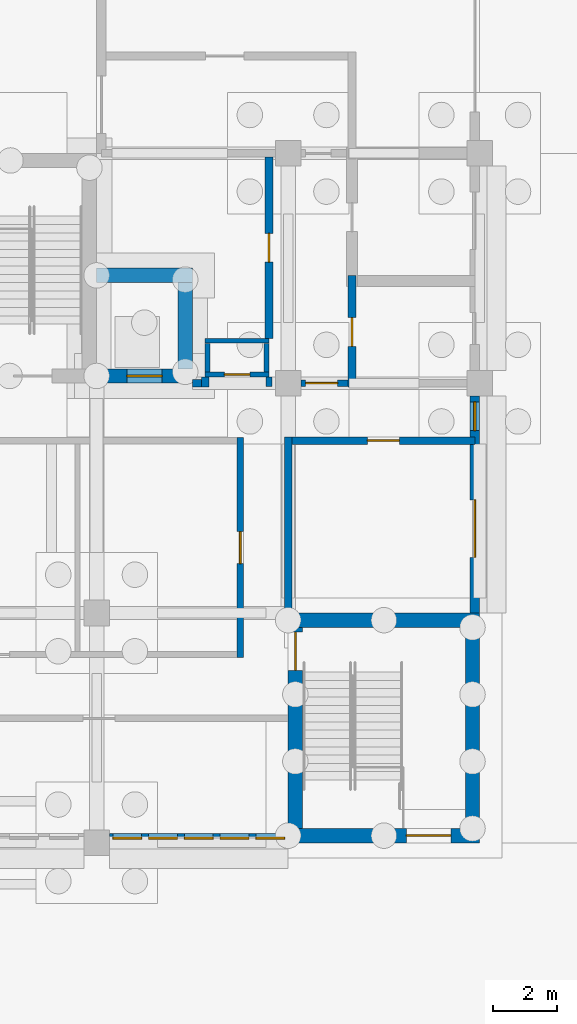
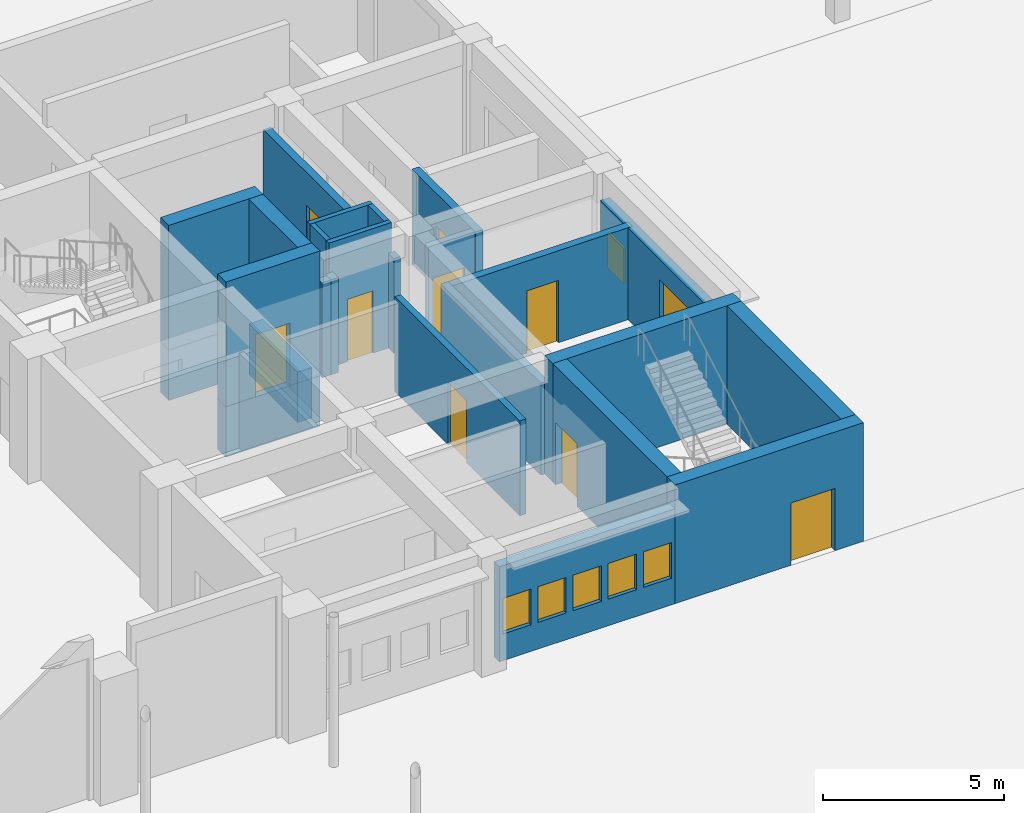
# One storey, part 24 of 37: 25 walls, 10 doors, 6 windows, 16 openings.
"""IFC4 building model written with IfcOpenShell, lengths in metres."""

from ifc_helpers import new_model, si_unit, direction, frame, frame_2d, origin, place, context, subcontext, project, spatial, rectangle, extrude, material, layer, layer_set, type_object, element, fill, save


model = new_model("IFC4")

# Units and contexts
model_context = context("Model", 3, precision=1e-05, world=origin(), true_north=direction((0.0, 1.0)))
body_context = subcontext(model_context, "Body", "Model", "MODEL_VIEW")
ifc_project = project(units=[si_unit("LENGTHUNIT", "METRE"), si_unit("AREAUNIT", "SQUARE_METRE"), si_unit("VOLUMEUNIT", "CUBIC_METRE"), si_unit("PLANEANGLEUNIT", "RADIAN"), si_unit("MASSUNIT", "GRAM", prefix="KILO")], contexts=[model_context])

# Site, building, storey
site_placement = place(None, origin())
site = spatial("IfcSite", under=ifc_project, at=site_placement, CompositionType="ELEMENT")
building_placement = place(site_placement, origin())
building = spatial("IfcBuilding", under=site, at=building_placement, Name="Laocheng Heights Fire and Rescue Headquarters", CompositionType="ELEMENT")
storey_placement = place(building_placement, origin())
storey = spatial("IfcBuildingStorey", under=building, at=storey_placement, Name="L00", CompositionType="ELEMENT", Elevation=0.0)

# Wall, opening, door
ifc_material_1 = material(Name="Gypsum plaster")
ifc_layer_1 = layer(ifc_material_1, 0.010009765625, Name="PLASTER", Category="plaster")
ifc_material_2 = material(Name="Concrete blockwork MU10", Category="masonry")
ifc_layer_2 = layer(ifc_material_2, 0.179931640625, Name="BLOCKWORK", Category="masonry")
ifc_layer_3 = layer(ifc_material_1, 0.010009765625, Name="PLASTER", Category="plaster")
ifc_layer_set_1 = layer_set([ifc_layer_1, ifc_layer_2, ifc_layer_3], Name="Concrete blockwork MU10")
wall_type_1 = type_object("IfcWallType", Name="BLOCKWORK FIRE PARTITION 200 EI 60 BAY", PredefinedType="PARTITIONING", material=ifc_layer_set_1)
wall_1_placement = place(storey_placement, frame((64.5, 5.800048828125, 0.0), z_axis=(0.0, 0.0, 1.0), x_axis=(0.0, 1.0, 0.0)))
wall_1 = element("IfcWall", 1, at=wall_1_placement, inside=storey, type_object=wall_type_1, Name="Partition L00-010", PredefinedType="PARTITIONING", context=body_context, shape_type="SweptSolid", body=[
    extrude(rectangle(XDim=6.89990234375, YDim=0.199951171875, at=frame_2d((3.449951171875, 0.0))), origin(), (0.0, 0.0, 1.0), 3.199951171875),
])
opening_1_placement = place(wall_1_placement, frame((2.949951171875, 0.0, 0.0)))
opening_1 = element("IfcOpeningElement", 2, at=opening_1_placement, cuts=wall_1, Name="Opening L00-I10", PredefinedType="OPENING", context=body_context, shape_type="SweptSolid", body=[
    extrude(rectangle(XDim=1.0, YDim=2.10009765625, at=frame_2d((0.5, 1.050048828125))), frame((0.0, 0.10986328125, 0.0), z_axis=(0.0, -1.0, 0.0), x_axis=(1.0, 0.0, 0.0)), (0.0, 0.0, 1.0), 0.219970703125),
])
ifc_material_3 = material(Name="Steel door leaf, painted", Category="steel")
door_type_1 = type_object("IfcDoorType", Name="STEEL FIRE DOOR 1000x2100 EI 60 BAY", OperationType="SINGLE_SWING_LEFT", PredefinedType="DOOR", material=ifc_material_3)
door_1_placement = place(opening_1_placement, origin())
door_1 = element("IfcDoor", 3, at=door_1_placement, inside=storey, type_object=door_type_1, Name="Door L00-I10", OperationType="SINGLE_SWING_LEFT", OverallHeight=2.10009765625, OverallWidth=1.0, PredefinedType="DOOR", context=body_context, shape_type="SweptSolid", body=[
    extrude(rectangle(XDim=1.0, YDim=2.10009765625, at=frame_2d((0.5, 1.050048828125))), frame((0.0, 0.02490234375, 0.0), z_axis=(0.0, -1.0, 0.0), x_axis=(1.0, 0.0, 0.0)), (0.0, 0.0, 1.0), 0.050048828125),
])
fill(opening_1, door_1)

# Wall
wall_2_placement = place(storey_placement, frame((65.39990234375, 14.300048828125, 0.0), z_axis=(0.0, 0.0, 1.0), x_axis=(0.0, 1.0, 0.0)))
element("IfcWall", 4, at=wall_2_placement, inside=storey, type_object=wall_type_1, Name="Partition L00-011", PredefinedType="PARTITIONING", context=body_context, shape_type="SweptSolid", body=[
    extrude(rectangle(XDim=0.300048828125, YDim=0.199951171875, at=frame_2d((0.14990234375, 0.0))), origin(), (0.0, 0.0, 1.0), 3.199951171875),
])

# Wall, opening, door
wall_3_placement = place(storey_placement, frame((66.39990234375, 14.39990234375, 0.0), z_axis=(0.0, 0.0, 1.0), x_axis=(1.0, 0.0, 0.0)))
wall_3 = element("IfcWall", 5, at=wall_3_placement, inside=storey, type_object=wall_type_1, Name="Partition L00-027", PredefinedType="PARTITIONING", context=body_context, shape_type="SweptSolid", body=[
    extrude(rectangle(XDim=1.47998046875, YDim=0.199951171875, at=frame_2d((0.739990234375, 0.0))), origin(), (0.0, 0.0, 1.0), 3.199951171875),
])
opening_2_placement = place(wall_3_placement, frame((0.14990234375, 0.0, 0.0)))
opening_2 = element("IfcOpeningElement", 6, at=opening_2_placement, cuts=wall_3, Name="Opening L00-I17", PredefinedType="OPENING", context=body_context, shape_type="SweptSolid", body=[
    extrude(rectangle(XDim=1.0, YDim=2.10009765625, at=frame_2d((0.5, 1.050048828125))), frame((0.0, 0.10986328125, 0.0), z_axis=(0.0, -1.0, 0.0), x_axis=(1.0, 0.0, 0.0)), (0.0, 0.0, 1.0), 0.219970703125),
])
door_2_placement = place(opening_2_placement, origin())
door_2 = element("IfcDoor", 7, at=door_2_placement, inside=storey, type_object=door_type_1, Name="Door L00-I17", OperationType="SINGLE_SWING_LEFT", OverallHeight=2.10009765625, OverallWidth=1.0, PredefinedType="DOOR", context=body_context, shape_type="SweptSolid", body=[
    extrude(rectangle(XDim=1.0, YDim=2.10009765625, at=frame_2d((0.5, 1.050048828125))), frame((0.0, 0.02490234375, 0.0), z_axis=(0.0, -1.0, 0.0), x_axis=(1.0, 0.0, 0.0)), (0.0, 0.0, 1.0), 0.050048828125),
])
fill(opening_2, door_2)

# Wall
ifc_material_4 = material(Name="Gypsum plaster")
ifc_layer_4 = layer(ifc_material_4, 0.010009765625, Name="PLASTER", Category="plaster")
ifc_material_5 = material(Name="Clay brick masonry MU10", Category="masonry")
ifc_layer_5 = layer(ifc_material_5, 0.219970703125, Name="BLOCKWORK", Category="masonry")
ifc_layer_6 = layer(ifc_material_4, 0.010009765625, Name="PLASTER", Category="plaster")
ifc_layer_set_2 = layer_set([ifc_layer_4, ifc_layer_5, ifc_layer_6], Name="Clay brick masonry MU10")
wall_type_2 = type_object("IfcWallType", Name="CLAY BRICK WALL 240 EI 120 BAY", PredefinedType="PARTITIONING", material=ifc_layer_set_2)
wall_4_placement = place(storey_placement, frame((63.39990234375, 14.280029296875, 0.0), z_axis=(0.0, 0.0, 1.0), x_axis=(0.0, 1.0, 0.0)))
element("IfcWall", 8, at=wall_4_placement, inside=storey, type_object=wall_type_2, Name="Partition L00-009", PredefinedType="PARTITIONING", context=body_context, shape_type="SweptSolid", body=[
    extrude(rectangle(XDim=0.320068359375, YDim=0.239990234375, at=frame_2d((0.16015625, 0.0))), origin(), (0.0, 0.0, 1.0), 3.199951171875),
])

# Wall, opening, door
wall_5_placement = place(storey_placement, frame((65.39990234375, 15.800048828125, 0.0), z_axis=(0.0, 0.0, 1.0), x_axis=(0.0, 1.0, 0.0)))
wall_5 = element("IfcWall", 9, at=wall_5_placement, inside=storey, type_object=wall_type_2, Name="Partition L00-012", PredefinedType="PARTITIONING", context=body_context, shape_type="SweptSolid", body=[
    extrude(rectangle(XDim=5.679931640625, YDim=0.239990234375, at=frame_2d((2.83984375, 0.0))), origin(), (0.0, 0.0, 1.0), 3.199951171875),
])
opening_3_placement = place(wall_5_placement, frame((2.389892578125, 0.0, 0.0)))
opening_3 = element("IfcOpeningElement", 10, at=opening_3_placement, cuts=wall_5, Name="Opening L00-I15", PredefinedType="OPENING", context=body_context, shape_type="SweptSolid", body=[
    extrude(rectangle(XDim=0.89990234375, YDim=2.10009765625, at=frame_2d((0.449951171875, 1.050048828125))), frame((0.0, 0.1298828125, 0.0), z_axis=(0.0, -1.0, 0.0), x_axis=(1.0, 0.0, 0.0)), (0.0, 0.0, 1.0), 0.260009765625),
])
ifc_material_6 = material(Name="Steel door leaf, painted", Category="steel")
door_type_2 = type_object("IfcDoorType", Name="STEEL FIRE DOOR 900x2100 EI 120 BAY", OperationType="SINGLE_SWING_LEFT", PredefinedType="DOOR", material=ifc_material_6)
door_3_placement = place(opening_3_placement, origin())
door_3 = element("IfcDoor", 11, at=door_3_placement, inside=storey, type_object=door_type_2, Name="Door L00-I15", OperationType="SINGLE_SWING_RIGHT", OverallHeight=2.10009765625, OverallWidth=0.89990234375, PredefinedType="DOOR", context=body_context, shape_type="SweptSolid", body=[
    extrude(rectangle(XDim=0.89990234375, YDim=2.10009765625, at=frame_2d((0.449951171875, 1.050048828125))), frame((0.0, 0.02490234375, 0.0), z_axis=(0.0, -1.0, 0.0), x_axis=(1.0, 0.0, 0.0)), (0.0, 0.0, 1.0), 0.050048828125),
])
fill(opening_3, door_3)

# Wall
wall_6_placement = place(storey_placement, frame((66.0, 7.199951171875, 0.0), z_axis=(0.0, 0.0, 1.0), x_axis=(0.0, 1.0, 0.0)))
element("IfcWall", 12, at=wall_6_placement, inside=storey, type_object=wall_type_2, Name="Partition L00-013", PredefinedType="PARTITIONING", context=body_context, shape_type="SweptSolid", body=[
    extrude(rectangle(XDim=5.52001953125, YDim=0.239990234375, at=frame_2d((2.760009765625, 0.0))), origin(), (0.0, 0.0, 1.0), 3.10009765625),
])

# Wall, opening, door
wall_7_placement = place(storey_placement, frame((68.0, 14.280029296875, 0.0), z_axis=(0.0, 0.0, 1.0), x_axis=(0.0, 1.0, 0.0)))
wall_7 = element("IfcWall", 13, at=wall_7_placement, inside=storey, type_object=wall_type_2, Name="Partition L00-014", PredefinedType="PARTITIONING", context=body_context, shape_type="SweptSolid", body=[
    extrude(rectangle(XDim=3.494873046875, YDim=0.239990234375, at=frame_2d((1.74755859375, 0.0))), origin(), (0.0, 0.0, 1.0), 3.199951171875),
])
opening_4_placement = place(wall_7_placement, frame((1.27001953125, 0.0, 0.0)))
opening_4 = element("IfcOpeningElement", 14, at=opening_4_placement, cuts=wall_7, Name="Opening L00-I12", PredefinedType="OPENING", context=body_context, shape_type="SweptSolid", body=[
    extrude(rectangle(XDim=0.89990234375, YDim=2.10009765625, at=frame_2d((0.449951171875, 1.050048828125))), frame((0.0, 0.1298828125, 0.0), z_axis=(0.0, -1.0, 0.0), x_axis=(1.0, 0.0, 0.0)), (0.0, 0.0, 1.0), 0.260009765625),
])
door_4_placement = place(opening_4_placement, frame((0.89990234375, 0.0, 0.0), z_axis=(0.0, 0.0, 1.0), x_axis=(-1.0, 0.0, 0.0)))
door_4 = element("IfcDoor", 15, at=door_4_placement, inside=storey, type_object=door_type_2, Name="Door L00-I12", OperationType="SINGLE_SWING_LEFT", OverallHeight=2.10009765625, OverallWidth=0.89990234375, PredefinedType="DOOR", context=body_context, shape_type="SweptSolid", body=[
    extrude(rectangle(XDim=0.89990234375, YDim=2.10009765625, at=frame_2d((0.449951171875, 1.050048828125))), frame((0.0, 0.02490234375, 0.0), z_axis=(0.0, -1.0, 0.0), x_axis=(1.0, 0.0, 0.0)), (0.0, 0.0, 1.0), 0.050048828125),
])
fill(opening_4, door_4)

wall_8_placement = place(storey_placement, frame((66.1201171875, 12.60009765625, 0.0), z_axis=(0.0, 0.0, 1.0), x_axis=(1.0, 0.0, 0.0)))
wall_8 = element("IfcWall", 16, at=wall_8_placement, inside=storey, type_object=wall_type_2, Name="Partition L00-024", PredefinedType="PARTITIONING", context=body_context, shape_type="SweptSolid", body=[
    extrude(rectangle(XDim=5.72998046875, YDim=0.239990234375, at=frame_2d((2.864990234375, 0.0))), origin(), (0.0, 0.0, 1.0), 3.10009765625),
])
opening_5_placement = place(wall_8_placement, frame((2.364990234375, 0.0, 0.0)))
opening_5 = element("IfcOpeningElement", 17, at=opening_5_placement, cuts=wall_8, Name="Opening L00-I11", PredefinedType="OPENING", context=body_context, shape_type="SweptSolid", body=[
    extrude(rectangle(XDim=1.0, YDim=2.10009765625, at=frame_2d((0.5, 1.050048828125))), frame((0.0, 0.1298828125, 0.0), z_axis=(0.0, -1.0, 0.0), x_axis=(1.0, 0.0, 0.0)), (0.0, 0.0, 1.0), 0.260009765625),
])
ifc_material_7 = material(Name="Steel door leaf, painted", Category="steel")
door_type_3 = type_object("IfcDoorType", Name="STEEL FIRE DOOR 1000x2100 EI 120 BAY", OperationType="SINGLE_SWING_LEFT", PredefinedType="DOOR", material=ifc_material_7)
door_5_placement = place(opening_5_placement, frame((1.0, 0.0, 0.0), z_axis=(0.0, 0.0, 1.0), x_axis=(-1.0, 0.0, 0.0)))
door_5 = element("IfcDoor", 18, at=door_5_placement, inside=storey, type_object=door_type_3, Name="Door L00-I11", OperationType="SINGLE_SWING_LEFT", OverallHeight=2.10009765625, OverallWidth=1.0, PredefinedType="DOOR", context=body_context, shape_type="SweptSolid", body=[
    extrude(rectangle(XDim=1.0, YDim=2.10009765625, at=frame_2d((0.5, 1.050048828125))), frame((0.0, 0.02490234375, 0.0), z_axis=(0.0, -1.0, 0.0), x_axis=(1.0, 0.0, 0.0)), (0.0, 0.0, 1.0), 0.050048828125),
])
fill(opening_5, door_5)

# Wall
wall_9_placement = place(storey_placement, frame((63.0, 14.39990234375, 0.0), z_axis=(0.0, 0.0, 1.0), x_axis=(1.0, 0.0, 0.0)))
element("IfcWall", 19, at=wall_9_placement, inside=storey, type_object=wall_type_2, Name="Partition L00-026", PredefinedType="PARTITIONING", context=body_context, shape_type="SweptSolid", body=[
    extrude(rectangle(XDim=0.280029296875, YDim=0.239990234375, at=frame_2d((0.14013671875, 0.0))), origin(), (0.0, 0.0, 1.0), 3.199951171875),
])

# Wall, openings, windows
ifc_material_8 = material(Name="Precast concrete C40/50", Category="concrete")
ifc_layer_7 = layer(ifc_material_8, 0.300048828125)
ifc_layer_set_3 = layer_set([ifc_layer_7], Name="Precast concrete C40/50")
wall_type_3 = type_object("IfcWallType", Name="PRECAST PANEL WALL 300 EAST FLANK", PredefinedType="SOLIDWALL", material=ifc_layer_set_3)
wall_10_placement = place(storey_placement, frame((60.39990234375, 0.14990234375, 0.0), z_axis=(0.0, 0.0, 1.0), x_axis=(1.0, 0.0, 0.0)))
wall_10 = element("IfcWall", 20, at=wall_10_placement, inside=storey, type_object=wall_type_3, Name="Flank E wall L00", PredefinedType="SOLIDWALL", context=body_context, shape_type="SweptSolid", body=[
    extrude(rectangle(XDim=5.60009765625, YDim=0.300048828125, at=frame_2d((2.800048828125, 0.0))), origin(), (0.0, 0.0, 1.0), 3.199951171875),
])
opening_6_placement = place(wall_10_placement, frame((0.110107421875, 0.0, 0.89990234375)))
opening_6 = element("IfcOpeningElement", 21, at=opening_6_placement, cuts=wall_10, Name="Opening N2-E", PredefinedType="OPENING", context=body_context, shape_type="SweptSolid", body=[
    extrude(rectangle(XDim=0.89990234375, YDim=1.199951171875, at=frame_2d((0.449951171875, 0.60009765625))), frame((0.0, 0.159912109375, 0.0), z_axis=(0.0, -1.0, 0.0), x_axis=(1.0, 0.0, 0.0)), (0.0, 0.0, 1.0), 0.320068359375),
])
opening_7_placement = place(wall_10_placement, frame((1.22998046875, 0.0, 0.89990234375)))
opening_7 = element("IfcOpeningElement", 22, at=opening_7_placement, cuts=wall_10, Name="Opening N2-E", PredefinedType="OPENING", context=body_context, shape_type="SweptSolid", body=[
    extrude(rectangle(XDim=0.89990234375, YDim=1.199951171875, at=frame_2d((0.449951171875, 0.60009765625))), frame((0.0, 0.159912109375, 0.0), z_axis=(0.0, -1.0, 0.0), x_axis=(1.0, 0.0, 0.0)), (0.0, 0.0, 1.0), 0.320068359375),
])
opening_8_placement = place(wall_10_placement, frame((2.35009765625, 0.0, 0.89990234375)))
opening_8 = element("IfcOpeningElement", 23, at=opening_8_placement, cuts=wall_10, Name="Opening N2-E", PredefinedType="OPENING", context=body_context, shape_type="SweptSolid", body=[
    extrude(rectangle(XDim=0.89990234375, YDim=1.199951171875, at=frame_2d((0.449951171875, 0.60009765625))), frame((0.0, 0.159912109375, 0.0), z_axis=(0.0, -1.0, 0.0), x_axis=(1.0, 0.0, 0.0)), (0.0, 0.0, 1.0), 0.320068359375),
])
opening_9_placement = place(wall_10_placement, frame((3.469970703125, 0.0, 0.89990234375)))
opening_9 = element("IfcOpeningElement", 24, at=opening_9_placement, cuts=wall_10, Name="Opening N2-E", PredefinedType="OPENING", context=body_context, shape_type="SweptSolid", body=[
    extrude(rectangle(XDim=0.89990234375, YDim=1.199951171875, at=frame_2d((0.449951171875, 0.60009765625))), frame((0.0, 0.159912109375, 0.0), z_axis=(0.0, -1.0, 0.0), x_axis=(1.0, 0.0, 0.0)), (0.0, 0.0, 1.0), 0.320068359375),
])
opening_10_placement = place(wall_10_placement, frame((4.590087890625, 0.0, 0.89990234375)))
opening_10 = element("IfcOpeningElement", 25, at=opening_10_placement, cuts=wall_10, Name="Opening N2-E", PredefinedType="OPENING", context=body_context, shape_type="SweptSolid", body=[
    extrude(rectangle(XDim=0.89990234375, YDim=1.199951171875, at=frame_2d((0.449951171875, 0.60009765625))), frame((0.0, 0.159912109375, 0.0), z_axis=(0.0, -1.0, 0.0), x_axis=(1.0, 0.0, 0.0)), (0.0, 0.0, 1.0), 0.320068359375),
])
ifc_material_9 = material(Name="Low-e double glazing in thermally broken aluminium frame", Category="aluminium")
window_type = type_object("IfcWindowType", Name="PUNCHED WINDOW STEEL FRAME 900 x 1200 SILL 900", PartitioningType="SINGLE_PANEL", PredefinedType="WINDOW", material=ifc_material_9)
window_1_placement = place(opening_6_placement, origin())
window_1 = element("IfcWindow", 26, at=window_1_placement, inside=storey, type_object=window_type, Name="Flank_E window L00", OverallHeight=1.199951171875, OverallWidth=0.89990234375, PartitioningType="SINGLE_PANEL", PredefinedType="WINDOW", context=body_context, shape_type="SweptSolid", body=[
    extrude(rectangle(XDim=0.89990234375, YDim=1.199951171875, at=frame_2d((0.449951171875, 0.60009765625))), frame((0.0, 0.030029296875, 0.0), z_axis=(0.0, -1.0, 0.0), x_axis=(1.0, 0.0, 0.0)), (0.0, 0.0, 1.0), 0.06005859375),
])
fill(opening_6, window_1)
window_2_placement = place(opening_7_placement, origin())
window_2 = element("IfcWindow", 27, at=window_2_placement, inside=storey, type_object=window_type, Name="Flank_E window L00", OverallHeight=1.199951171875, OverallWidth=0.89990234375, PartitioningType="SINGLE_PANEL", PredefinedType="WINDOW", context=body_context, shape_type="SweptSolid", body=[
    extrude(rectangle(XDim=0.89990234375, YDim=1.199951171875, at=frame_2d((0.449951171875, 0.60009765625))), frame((0.0, 0.030029296875, 0.0), z_axis=(0.0, -1.0, 0.0), x_axis=(1.0, 0.0, 0.0)), (0.0, 0.0, 1.0), 0.06005859375),
])
fill(opening_7, window_2)
window_3_placement = place(opening_8_placement, origin())
window_3 = element("IfcWindow", 28, at=window_3_placement, inside=storey, type_object=window_type, Name="Flank_E window L00", OverallHeight=1.199951171875, OverallWidth=0.89990234375, PartitioningType="SINGLE_PANEL", PredefinedType="WINDOW", context=body_context, shape_type="SweptSolid", body=[
    extrude(rectangle(XDim=0.89990234375, YDim=1.199951171875, at=frame_2d((0.449951171875, 0.60009765625))), frame((0.0, 0.030029296875, 0.0), z_axis=(0.0, -1.0, 0.0), x_axis=(1.0, 0.0, 0.0)), (0.0, 0.0, 1.0), 0.06005859375),
])
fill(opening_8, window_3)
window_4_placement = place(opening_9_placement, origin())
window_4 = element("IfcWindow", 29, at=window_4_placement, inside=storey, type_object=window_type, Name="Flank_E window L00", OverallHeight=1.199951171875, OverallWidth=0.89990234375, PartitioningType="SINGLE_PANEL", PredefinedType="WINDOW", context=body_context, shape_type="SweptSolid", body=[
    extrude(rectangle(XDim=0.89990234375, YDim=1.199951171875, at=frame_2d((0.449951171875, 0.60009765625))), frame((0.0, 0.030029296875, 0.0), z_axis=(0.0, -1.0, 0.0), x_axis=(1.0, 0.0, 0.0)), (0.0, 0.0, 1.0), 0.06005859375),
])
fill(opening_9, window_4)
window_5_placement = place(opening_10_placement, origin())
window_5 = element("IfcWindow", 30, at=window_5_placement, inside=storey, type_object=window_type, Name="Flank_E window L00", OverallHeight=1.199951171875, OverallWidth=0.89990234375, PartitioningType="SINGLE_PANEL", PredefinedType="WINDOW", context=body_context, shape_type="SweptSolid", body=[
    extrude(rectangle(XDim=0.89990234375, YDim=1.199951171875, at=frame_2d((0.449951171875, 0.60009765625))), frame((0.0, 0.030029296875, 0.0), z_axis=(0.0, -1.0, 0.0), x_axis=(1.0, 0.0, 0.0)), (0.0, 0.0, 1.0), 0.06005859375),
])
fill(opening_10, window_5)

# Wall, openings, door, window
wall_11_placement = place(storey_placement, frame((71.85009765625, 7.199951171875, 0.0), z_axis=(0.0, 0.0, 1.0), x_axis=(0.0, 1.0, 0.0)))
wall_11 = element("IfcWall", 31, at=wall_11_placement, inside=storey, type_object=wall_type_3, Name="Flank E wall L00", PredefinedType="SOLIDWALL", context=body_context, shape_type="SweptSolid", body=[
    extrude(rectangle(XDim=6.800048828125, YDim=0.300048828125, at=frame_2d((3.39990234375, 0.0))), origin(), (0.0, 0.0, 1.0), 3.10009765625),
])
opening_11_placement = place(wall_11_placement, frame((1.739990234375, 0.0, 0.0)))
opening_11 = element("IfcOpeningElement", 32, at=opening_11_placement, cuts=wall_11, Name="Opening L00-E03", PredefinedType="OPENING", context=body_context, shape_type="SweptSolid", body=[
    extrude(rectangle(XDim=1.800048828125, YDim=2.39990234375, at=frame_2d((0.89990234375, 1.199951171875))), frame((0.0, 0.159912109375, 0.0), z_axis=(0.0, -1.0, 0.0), x_axis=(1.0, 0.0, 0.0)), (0.0, 0.0, 1.0), 0.320068359375),
])
opening_12_placement = place(wall_11_placement, frame((5.7099609375, 0.0, 0.89990234375)))
opening_12 = element("IfcOpeningElement", 33, at=opening_12_placement, cuts=wall_11, Name="Opening N2-E", PredefinedType="OPENING", context=body_context, shape_type="SweptSolid", body=[
    extrude(rectangle(XDim=0.89990234375, YDim=1.199951171875, at=frame_2d((0.449951171875, 0.60009765625))), frame((0.0, 0.159912109375, 0.0), z_axis=(0.0, -1.0, 0.0), x_axis=(1.0, 0.0, 0.0)), (0.0, 0.0, 1.0), 0.320068359375),
])
ifc_material_10 = material(Name="Powder-coated galvanised steel door leaf, louvred", Category="steel")
door_type_4 = type_object("IfcDoorType", Name="DOUBLE PLANT DOOR STEEL 1800 x 2400 EI 60", OperationType="DOUBLE_DOOR_SINGLE_SWING", PredefinedType="DOOR", material=ifc_material_10)
door_6_placement = place(opening_11_placement, frame((1.800048828125, 0.0, 0.0), z_axis=(0.0, 0.0, 1.0), x_axis=(-1.0, 0.0, 0.0)))
door_6 = element("IfcDoor", 34, at=door_6_placement, inside=storey, type_object=door_type_4, Name="Compressor plant room door L00-E03", OperationType="DOUBLE_DOOR_SINGLE_SWING", OverallHeight=2.39990234375, OverallWidth=1.800048828125, PredefinedType="DOOR", context=body_context, shape_type="SweptSolid", body=[
    extrude(rectangle(XDim=1.800048828125, YDim=2.39990234375, at=frame_2d((0.89990234375, 1.199951171875))), frame((0.0, 0.02490234375, 0.0), z_axis=(0.0, -1.0, 0.0), x_axis=(1.0, 0.0, 0.0)), (0.0, 0.0, 1.0), 0.050048828125),
])
fill(opening_11, door_6)
window_6_placement = place(opening_12_placement, origin())
window_6 = element("IfcWindow", 35, at=window_6_placement, inside=storey, type_object=window_type, Name="Flank_E window L00", OverallHeight=1.199951171875, OverallWidth=0.89990234375, PartitioningType="SINGLE_PANEL", PredefinedType="WINDOW", context=body_context, shape_type="SweptSolid", body=[
    extrude(rectangle(XDim=0.89990234375, YDim=1.199951171875, at=frame_2d((0.449951171875, 0.60009765625))), frame((0.0, 0.030029296875, 0.0), z_axis=(0.0, -1.0, 0.0), x_axis=(1.0, 0.0, 0.0)), (0.0, 0.0, 1.0), 0.06005859375),
])
fill(opening_12, window_6)

# Wall, opening, door
ifc_material_11 = material(Name="Concrete C50", Category="concrete")
ifc_layer_8 = layer(ifc_material_11, 0.449951171875)
ifc_layer_set_4 = layer_set([ifc_layer_8], Name="Concrete C50")
wall_type_4 = type_object("IfcWallType", Name="RC LIFT SHAFT WALL 450", PredefinedType="SHEAR", material=ifc_layer_set_4)
wall_12_placement = place(storey_placement, frame((60.0, 14.625, 0.0), z_axis=(0.0, 0.0, 1.0), x_axis=(1.0, 0.0, 0.0)))
wall_12 = element("IfcWall", 36, at=wall_12_placement, inside=storey, type_object=wall_type_4, Name="Lift shaft wall", PredefinedType="SHEAR", context=body_context, shape_type="SweptSolid", body=[
    extrude(rectangle(XDim=3.0, YDim=0.449951171875, at=frame_2d((1.5, 0.0))), origin(), (0.0, 0.0, 1.0), 4.199951171875),
])
opening_13_placement = place(wall_12_placement, frame((0.949951171875, 0.0, 0.0)))
opening_13 = element("IfcOpeningElement", 37, at=opening_13_placement, cuts=wall_12, Name="Opening L00-K09", PredefinedType="OPENING", context=body_context, shape_type="SweptSolid", body=[
    extrude(rectangle(XDim=1.10009765625, YDim=2.10009765625, at=frame_2d((0.550048828125, 1.050048828125))), frame((0.0, 0.23486328125, 0.0), z_axis=(0.0, -1.0, 0.0), x_axis=(1.0, 0.0, 0.0)), (0.0, 0.0, 1.0), 0.469970703125),
])
ifc_material_12 = material(Name="Stainless steel", Category="steel")
door_type_5 = type_object("IfcDoorType", Name="LANDING DOOR E-L1 SLIDING 1100x2100 E 120", OperationType="DOUBLE_DOOR_SLIDING", PredefinedType="DOOR", material=ifc_material_12)
door_7_placement = place(opening_13_placement, origin())
door_7 = element("IfcDoor", 38, at=door_7_placement, inside=storey, type_object=door_type_5, Name="Landing door E-L1", OperationType="DOUBLE_DOOR_SLIDING", OverallHeight=2.10009765625, OverallWidth=1.10009765625, PredefinedType="DOOR", context=body_context, shape_type="SweptSolid", body=[
    extrude(rectangle(XDim=1.10009765625, YDim=2.10009765625, at=frame_2d((0.550048828125, 1.050048828125))), frame((0.0, 0.02490234375, 0.0), z_axis=(0.0, -1.0, 0.0), x_axis=(1.0, 0.0, 0.0)), (0.0, 0.0, 1.0), 0.050048828125),
])
fill(opening_13, door_7)

# Walls
wall_13_placement = place(storey_placement, frame((60.0, 17.77490234375, 0.0), z_axis=(0.0, 0.0, 1.0), x_axis=(1.0, 0.0, 0.0)))
element("IfcWall", 39, at=wall_13_placement, inside=storey, type_object=wall_type_4, Name="Lift shaft wall", PredefinedType="SHEAR", context=body_context, shape_type="SweptSolid", body=[
    extrude(rectangle(XDim=3.0, YDim=0.449951171875, at=frame_2d((1.5, 0.0))), origin(), (0.0, 0.0, 1.0), 4.199951171875),
])
wall_14_placement = place(storey_placement, frame((62.77490234375, 14.85009765625, 0.0), z_axis=(0.0, 0.0, 1.0), x_axis=(0.0, 1.0, 0.0)))
element("IfcWall", 40, at=wall_14_placement, inside=storey, type_object=wall_type_4, Name="Lift shaft wall", PredefinedType="SHEAR", context=body_context, shape_type="SweptSolid", body=[
    extrude(rectangle(XDim=2.699951171875, YDim=0.449951171875, at=frame_2d((1.35009765625, 0.0))), origin(), (0.0, 0.0, 1.0), 4.199951171875),
])

# Wall, opening, door
ifc_material_13 = material(Name="Concrete C50", Category="concrete")
ifc_layer_9 = layer(ifc_material_13, 0.449951171875)
ifc_layer_set_5 = layer_set([ifc_layer_9], Name="Concrete C50")
wall_type_5 = type_object("IfcWallType", Name="RC STAIR ENCLOSURE WALL 450", PredefinedType="SHEAR", material=ifc_layer_set_5)
wall_15_placement = place(storey_placement, frame((66.0, 0.22509765625, 0.0), z_axis=(0.0, 0.0, 1.0), x_axis=(1.0, 0.0, 0.0)))
wall_15 = element("IfcWall", 41, at=wall_15_placement, inside=storey, type_object=wall_type_5, Name="Stair enclosure wall", PredefinedType="SHEAR", context=body_context, shape_type="SweptSolid", body=[
    extrude(rectangle(XDim=6.0, YDim=0.449951171875, at=frame_2d((3.0, 0.0))), origin(), (0.0, 0.0, 1.0), 4.0),
])
opening_14_placement = place(wall_15_placement, frame((3.699951171875, 0.0, 0.0)))
opening_14 = element("IfcOpeningElement", 42, at=opening_14_placement, cuts=wall_15, Name="Opening L00-K12", PredefinedType="OPENING", context=body_context, shape_type="SweptSolid", body=[
    extrude(rectangle(XDim=1.39990234375, YDim=2.10009765625, at=frame_2d((0.699951171875, 1.050048828125))), frame((0.0, 0.23486328125, 0.0), z_axis=(0.0, -1.0, 0.0), x_axis=(1.0, 0.0, 0.0)), (0.0, 0.0, 1.0), 0.469970703125),
])
ifc_material_14 = material(Name="Painted steel", Category="steel")
door_type_6 = type_object("IfcDoorType", Name="STAIR EXIT DOOR 1400x2100 EI 60", OperationType="DOUBLE_DOOR_SINGLE_SWING", PredefinedType="DOOR", material=ifc_material_14)
door_8_placement = place(opening_14_placement, frame((1.39990234375, 0.0, 0.0), z_axis=(0.0, 0.0, 1.0), x_axis=(-1.0, 0.0, 0.0)))
door_8 = element("IfcDoor", 43, at=door_8_placement, inside=storey, type_object=door_type_6, Name="Stair E2 exit door", OperationType="DOUBLE_DOOR_SINGLE_SWING", OverallHeight=2.10009765625, OverallWidth=1.39990234375, PredefinedType="DOOR", context=body_context, shape_type="SweptSolid", body=[
    extrude(rectangle(XDim=1.39990234375, YDim=2.10009765625, at=frame_2d((0.699951171875, 1.050048828125))), frame((0.0, 0.02490234375, 0.0), z_axis=(0.0, -1.0, 0.0), x_axis=(1.0, 0.0, 0.0)), (0.0, 0.0, 1.0), 0.050048828125),
])
fill(opening_14, door_8)

# Wall
wall_16_placement = place(storey_placement, frame((66.0, 6.97509765625, 0.0), z_axis=(0.0, 0.0, 1.0), x_axis=(1.0, 0.0, 0.0)))
element("IfcWall", 44, at=wall_16_placement, inside=storey, type_object=wall_type_5, Name="Stair enclosure wall", PredefinedType="SHEAR", context=body_context, shape_type="SweptSolid", body=[
    extrude(rectangle(XDim=6.0, YDim=0.449951171875, at=frame_2d((3.0, 0.0))), origin(), (0.0, 0.0, 1.0), 4.0),
])

# Wall, opening, door
wall_17_placement = place(storey_placement, frame((66.22509765625, 0.449951171875, 0.0), z_axis=(0.0, 0.0, 1.0), x_axis=(0.0, 1.0, 0.0)))
wall_17 = element("IfcWall", 45, at=wall_17_placement, inside=storey, type_object=wall_type_5, Name="Stair enclosure wall", PredefinedType="SHEAR", context=body_context, shape_type="SweptSolid", body=[
    extrude(rectangle(XDim=6.300048828125, YDim=0.449951171875, at=frame_2d((3.14990234375, 0.0))), origin(), (0.0, 0.0, 1.0), 4.0),
])
opening_15_placement = place(wall_17_placement, frame((4.949951171875, 0.0, 0.0)))
opening_15 = element("IfcOpeningElement", 46, at=opening_15_placement, cuts=wall_17, Name="Opening L00-K11", PredefinedType="OPENING", context=body_context, shape_type="SweptSolid", body=[
    extrude(rectangle(XDim=1.199951171875, YDim=2.10009765625, at=frame_2d((0.60009765625, 1.050048828125))), frame((0.0, 0.23486328125, 0.0), z_axis=(0.0, -1.0, 0.0), x_axis=(1.0, 0.0, 0.0)), (0.0, 0.0, 1.0), 0.469970703125),
])
ifc_material_15 = material(Name="Painted steel", Category="steel")
door_type_7 = type_object("IfcDoorType", Name="FIRE DOOR 1200x2100 EI 60", OperationType="SINGLE_SWING_LEFT", PredefinedType="DOOR", material=ifc_material_15)
door_9_placement = place(opening_15_placement, frame((1.199951171875, 0.0, 0.0), z_axis=(0.0, 0.0, 1.0), x_axis=(-1.0, 0.0, 0.0)))
door_9 = element("IfcDoor", 47, at=door_9_placement, inside=storey, type_object=door_type_7, Name="Stair E2 door", OperationType="SINGLE_SWING_LEFT", OverallHeight=2.10009765625, OverallWidth=1.199951171875, PredefinedType="DOOR", context=body_context, shape_type="SweptSolid", body=[
    extrude(rectangle(XDim=1.199951171875, YDim=2.10009765625, at=frame_2d((0.60009765625, 1.050048828125))), frame((0.0, 0.02490234375, 0.0), z_axis=(0.0, -1.0, 0.0), x_axis=(1.0, 0.0, 0.0)), (0.0, 0.0, 1.0), 0.050048828125),
])
fill(opening_15, door_9)

# Wall
wall_18_placement = place(storey_placement, frame((71.77490234375, 0.449951171875, 0.0), z_axis=(0.0, 0.0, 1.0), x_axis=(0.0, 1.0, 0.0)))
element("IfcWall", 48, at=wall_18_placement, inside=storey, type_object=wall_type_5, Name="Stair enclosure wall", PredefinedType="SHEAR", context=body_context, shape_type="SweptSolid", body=[
    extrude(rectangle(XDim=6.300048828125, YDim=0.449951171875, at=frame_2d((3.14990234375, 0.0))), origin(), (0.0, 0.0, 1.0), 4.0),
])

# Wall, opening, door
ifc_material_16 = material(Name="Concrete C30", Category="concrete")
ifc_layer_10 = layer(ifc_material_16, 0.14990234375)
ifc_layer_set_6 = layer_set([ifc_layer_10], Name="Concrete C30")
wall_type_6 = type_object("IfcWallType", Name="RISER SHAFT WALL 150", PredefinedType="SOLIDWALL", material=ifc_layer_set_6)
wall_19_placement = place(storey_placement, frame((63.39990234375, 14.675048828125, 0.0), z_axis=(0.0, 0.0, 1.0), x_axis=(1.0, 0.0, 0.0)))
wall_19 = element("IfcWall", 49, at=wall_19_placement, inside=storey, type_object=wall_type_6, Name="Riser shaft wall", PredefinedType="SOLIDWALL", context=body_context, shape_type="SweptSolid", body=[
    extrude(rectangle(XDim=2.0, YDim=0.14990234375, at=frame_2d((1.0, 0.0))), origin(), (0.0, 0.0, 1.0), 4.199951171875),
])
opening_16_placement = place(wall_19_placement, frame((0.60009765625, 0.0, 0.0)))
opening_16 = element("IfcOpeningElement", 50, at=opening_16_placement, cuts=wall_19, Name="Opening L00-K10", PredefinedType="OPENING", context=body_context, shape_type="SweptSolid", body=[
    extrude(rectangle(XDim=0.800048828125, YDim=2.10009765625, at=frame_2d((0.39990234375, 1.050048828125))), frame((0.0, 0.0849609375, 0.0), z_axis=(0.0, -1.0, 0.0), x_axis=(1.0, 0.0, 0.0)), (0.0, 0.0, 1.0), 0.169921875),
])
ifc_material_17 = material(Name="Painted steel", Category="steel")
door_type_8 = type_object("IfcDoorType", Name="RISER ACCESS DOOR 800x2100 EI 30", OperationType="SINGLE_SWING_LEFT", PredefinedType="DOOR", material=ifc_material_17)
door_10_placement = place(opening_16_placement, frame((0.800048828125, 0.0, 0.0), z_axis=(0.0, 0.0, 1.0), x_axis=(-1.0, 0.0, 0.0)))
door_10 = element("IfcDoor", 51, at=door_10_placement, inside=storey, type_object=door_type_8, Name="Riser RE1 access door", OperationType="SINGLE_SWING_RIGHT", OverallHeight=2.10009765625, OverallWidth=0.800048828125, PredefinedType="DOOR", context=body_context, shape_type="SweptSolid", body=[
    extrude(rectangle(XDim=0.800048828125, YDim=2.10009765625, at=frame_2d((0.39990234375, 1.050048828125))), frame((0.0, 0.02490234375, 0.0), z_axis=(0.0, -1.0, 0.0), x_axis=(1.0, 0.0, 0.0)), (0.0, 0.0, 1.0), 0.050048828125),
])
fill(opening_16, door_10)

# Walls
wall_20_placement = place(storey_placement, frame((63.39990234375, 15.72509765625, 0.0), z_axis=(0.0, 0.0, 1.0), x_axis=(1.0, 0.0, 0.0)))
element("IfcWall", 52, at=wall_20_placement, inside=storey, type_object=wall_type_6, Name="Riser shaft wall", PredefinedType="SOLIDWALL", context=body_context, shape_type="SweptSolid", body=[
    extrude(rectangle(XDim=2.0, YDim=0.14990234375, at=frame_2d((1.0, 0.0))), origin(), (0.0, 0.0, 1.0), 4.199951171875),
])
for number, where, z_axis, x_axis, name in (
    (53, (63.47509765625, 14.75, 0.0), (0.0, 0.0, 1.0), (0.0, 1.0, 0.0), "Riser shaft wall"),
    (54, (65.324951171875, 14.75, 0.0), (0.0, 0.0, 1.0), (0.0, 1.0, 0.0), "Riser shaft wall"),
):
    element("IfcWall", number, at=place(storey_placement, frame(where, z_axis=z_axis, x_axis=x_axis)), inside=storey, type_object=wall_type_6, Name=name, PredefinedType="SOLIDWALL", context=body_context, shape_type="SweptSolid", body=[
        extrude(rectangle(XDim=0.89990234375, YDim=0.14990234375, at=frame_2d((0.449951171875, 0.0))), origin(), (0.0, 0.0, 1.0), 4.199951171875),
    ])
ifc_material_18 = material(Name="Concrete C40", Category="concrete")
ifc_layer_11 = layer(ifc_material_18, 0.449951171875)
ifc_layer_set_7 = layer_set([ifc_layer_11], Name="Concrete C40")
wall_type_7 = type_object("IfcWallType", Name="TANKED RC LIFT PIT WALL 450 BELOW DESIGN FLOOD LEVEL", PredefinedType="SHEAR", material=ifc_layer_set_7)
for number, where, z_axis, x_axis, name in (
    (55, (60.0, 14.625, -1.699951171875), (0.0, 0.0, 1.0), (1.0, 0.0, 0.0), "Lift pit wall"),
    (56, (60.0, 17.77490234375, -1.699951171875), (0.0, 0.0, 1.0), (1.0, 0.0, 0.0), "Lift pit wall"),
):
    element("IfcWall", number, at=place(storey_placement, frame(where, z_axis=z_axis, x_axis=x_axis)), inside=storey, type_object=wall_type_7, Name=name, PredefinedType="SHEAR", context=body_context, shape_type="SweptSolid", body=[
        extrude(rectangle(XDim=3.0, YDim=0.449951171875, at=frame_2d((1.5, 0.0))), origin(), (0.0, 0.0, 1.0), 1.699951171875),
    ])
wall_21_placement = place(storey_placement, frame((62.77490234375, 14.85009765625, -1.699951171875), z_axis=(0.0, 0.0, 1.0), x_axis=(0.0, 1.0, 0.0)))
element("IfcWall", 57, at=wall_21_placement, inside=storey, type_object=wall_type_7, Name="Lift pit wall", PredefinedType="SHEAR", context=body_context, shape_type="SweptSolid", body=[
    extrude(rectangle(XDim=2.699951171875, YDim=0.449951171875, at=frame_2d((1.35009765625, 0.0))), origin(), (0.0, 0.0, 1.0), 1.699951171875),
])

save(model, "model.ifc")
